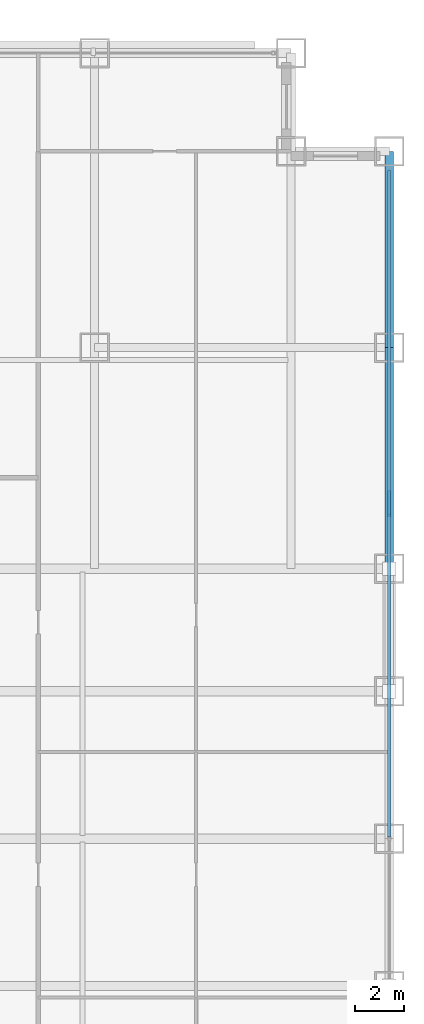
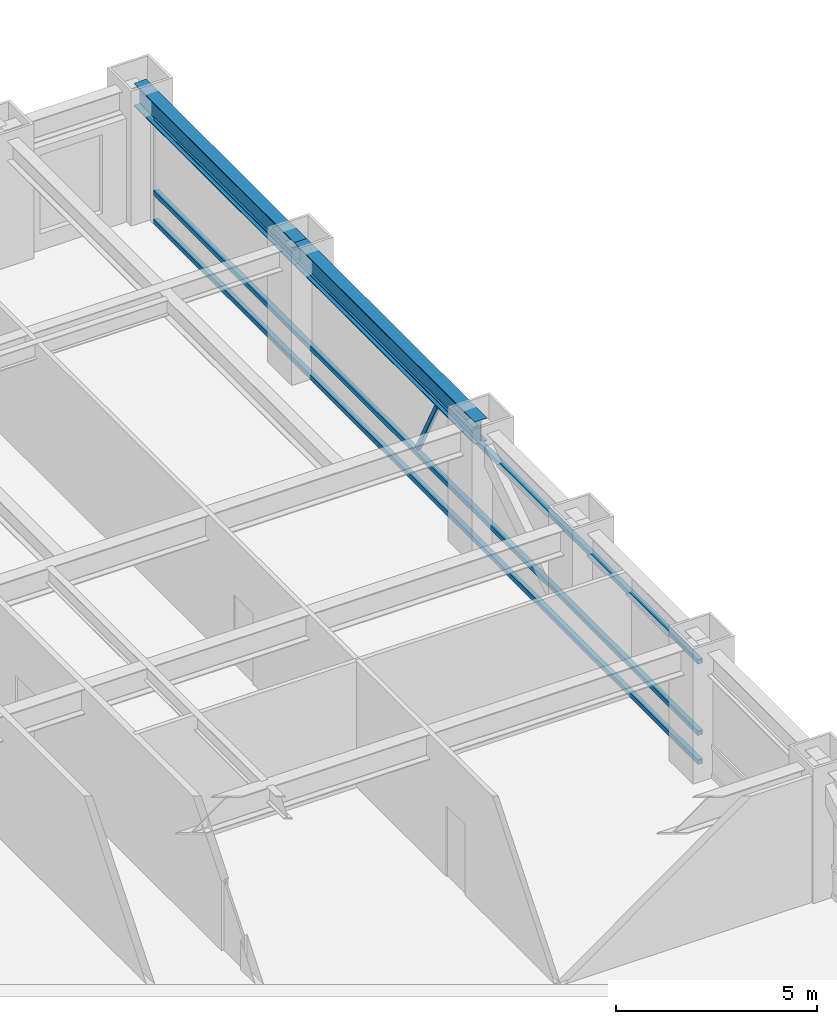
# One storey, part 15 of 32: 4 members, 2 beams, 1 element without a shape of its own.
"""IFC4 building model written with IfcOpenShell, lengths in metres."""

from ifc_helpers import new_model, si_unit, direction, frame, origin, origin_2d, place, context, subcontext, project, spatial, hollow_rectangle, i_section, extrude, source, transform, mapped, material, material_profile, profile_set, type_object, element, aggregate, save


model = new_model("IFC4")

# Units and contexts
model_context = context("Model", 3, precision=1e-05, world=origin(), true_north=direction((0.0, 1.0)))
body_context = subcontext(model_context, "Body", "Model", "MODEL_VIEW")
ifc_project = project(units=[si_unit("LENGTHUNIT", "METRE"), si_unit("AREAUNIT", "SQUARE_METRE"), si_unit("VOLUMEUNIT", "CUBIC_METRE"), si_unit("PLANEANGLEUNIT", "RADIAN"), si_unit("MASSUNIT", "GRAM", prefix="KILO")], contexts=[model_context])

# Site, building, storey
site_placement = place(None, origin())
site = spatial("IfcSite", under=ifc_project, at=site_placement, CompositionType="ELEMENT")
building_placement = place(site_placement, origin())
building = spatial("IfcBuilding", under=site, at=building_placement, Name="Khorayat Bourse Tower", CompositionType="ELEMENT")
storey_placement = place(building_placement, frame((0.0, 0.0, 132.39990234375)))
storey = spatial("IfcBuildingStorey", under=building, at=storey_placement, Name="L30", CompositionType="ELEMENT", Elevation=132.39990234375)

# Beams
ifc_material_1 = material(Name="Steel ASTM A992 Grade 50", Category="steel")
ifc_material_profile_1 = material_profile(ifc_material_1, i_section(OverallWidth=0.35498046875, OverallDepth=0.695068359375, WebThickness=0.015380859375, FlangeThickness=0.02490234375, FilletRadius=0.01806640625, at=origin_2d()), Name="W690X217")
ifc_profile_set_1 = profile_set([ifc_material_profile_1], Name="Steel ASTM A992 Grade 50")
beam_type = type_object("IfcBeamType", Name="BM-SPAN-690", PredefinedType="SPANDREL", material=ifc_profile_set_1)
shared_shape_1 = source(origin(), body_context, "Body", "SweptSolid", [
    extrude(i_section(OverallWidth=0.35498046875, OverallDepth=0.695068359375, WebThickness=0.015380859375, FlangeThickness=0.02490234375, FilletRadius=0.01806640625, at=origin_2d()), origin(), (0.0, 0.0, 1.0), 9.0),
])
beam_1_placement = place(storey_placement, frame((32.0, 11.0, 3.49267578125), z_axis=(0.0, 1.0, 0.0), x_axis=(-1.0, 0.0, 0.0)))
element("IfcBeam", 1, at=beam_1_placement, inside=storey, type_object=beam_type, Name="L30 BM-SPAN-690 BM-L30-SPN-040", PredefinedType="SPANDREL", context=body_context, shape_type="MappedRepresentation", body=[
    mapped(shared_shape_1, transform((0.0, 0.0, 0.0), scale=1.0)),
])
shared_shape_2 = source(origin(), body_context, "Body", "SweptSolid", [
    extrude(i_section(OverallWidth=0.35498046875, OverallDepth=0.695068359375, WebThickness=0.015380859375, FlangeThickness=0.02490234375, FilletRadius=0.01806640625, at=origin_2d()), origin(), (0.0, 0.0, 1.0), 8.0),
])
beam_2_placement = place(storey_placement, frame((32.0, 20.0, 3.49267578125), z_axis=(0.0, 1.0, 0.0), x_axis=(-1.0, 0.0, 0.0)))
element("IfcBeam", 2, at=beam_2_placement, inside=storey, type_object=beam_type, Name="L30 BM-SPAN-690 BM-L30-SPN-041", PredefinedType="SPANDREL", context=body_context, shape_type="MappedRepresentation", body=[
    mapped(shared_shape_2, transform((0.0, 0.0, 0.0), scale=1.0)),
])

# Curtain wall, members
ifc_material_2 = material(Name="Aluminium EN AW-6063 T6", Category="aluminium")
curtain_wall_type = type_object("IfcCurtainWallType", Name="CW-SYS-02", PredefinedType="NOTDEFINED", material=ifc_material_2)
curtain_wall_placement = place(storey_placement, origin())
curtain_wall = element("IfcCurtainWall", 3, at=curtain_wall_placement, inside=storey, type_object=curtain_wall_type, Name="L30 Curtain Wall CW-L30-E1", PredefinedType="NOTDEFINED")
ifc_material_profile_2 = material_profile(ifc_material_2, hollow_rectangle(XDim=0.139892578125, YDim=0.139892578125, WallThickness=0.006103515625, at=origin_2d()), Name="ALU 140x140x6")
ifc_profile_set_2 = profile_set([ifc_material_profile_2], Name="Aluminium EN AW-6063 T6")
member_type_1 = type_object("IfcMemberType", Name="CWT-HORZ-140", PredefinedType="USERDEFINED", material=ifc_profile_set_2)
shared_shape_3 = source(origin(), body_context, "Body", "SweptSolid", [
    extrude(hollow_rectangle(XDim=0.139892578125, YDim=0.139892578125, WallThickness=0.006103515625, at=origin_2d()), origin(), (0.0, 0.0, 1.0), 27.139892578125),
])
member_1_placement = place(storey_placement, frame((32.0, 0.070068359375, 0.070068359375), z_axis=(0.0, 1.0, 0.0), x_axis=(-1.0, 0.0, 0.0)))
member_1 = element("IfcMember", 4, at=member_1_placement, type_object=member_type_1, Name="CW-L30-E1 Horizontal Transom 2-1", ObjectType="TRANSOM", PredefinedType="USERDEFINED", context=body_context, shape_type="MappedRepresentation", body=[
    mapped(shared_shape_3, transform((0.0, 0.0, 0.0), scale=1.0)),
])
member_2_placement = place(storey_placement, frame((32.0, 0.070068359375, 0.9501953125), z_axis=(0.0, 1.0, 0.0), x_axis=(-1.0, 0.0, 0.0)))
member_2 = element("IfcMember", 5, at=member_2_placement, type_object=member_type_1, Name="CW-L30-E1 Horizontal Transom 2-2", ObjectType="TRANSOM", PredefinedType="USERDEFINED", context=body_context, shape_type="MappedRepresentation", body=[
    mapped(shared_shape_3, transform((0.0, 0.0, 0.0), scale=1.0)),
])
member_3_placement = place(storey_placement, frame((32.0, 0.070068359375, 3.1201171875), z_axis=(0.0, 1.0, 0.0), x_axis=(-1.0, 0.0, 0.0)))
member_3 = element("IfcMember", 6, at=member_3_placement, type_object=member_type_1, Name="CW-L30-E1 Horizontal Transom 2-3", ObjectType="TRANSOM", PredefinedType="USERDEFINED", context=body_context, shape_type="MappedRepresentation", body=[
    mapped(shared_shape_3, transform((0.0, 0.0, 0.0), scale=1.0)),
])
ifc_material_profile_3 = material_profile(ifc_material_2, hollow_rectangle(XDim=0.1201171875, YDim=0.1201171875, WallThickness=0.0048828125, at=origin_2d()), Name="ALU 120x120x5")
ifc_profile_set_3 = profile_set([ifc_material_profile_3], Name="Aluminium EN AW-6063 T6")
member_type_2 = type_object("IfcMemberType", Name="CWM-DIAG-120", PredefinedType="MULLION", material=ifc_profile_set_3)
shared_shape_4 = source(origin(), body_context, "Body", "SweptSolid", [
    extrude(hollow_rectangle(XDim=0.1201171875, YDim=0.1201171875, WallThickness=0.0048828125, at=origin_2d()), origin(), (0.0, 0.0, 1.0), 2.11328125),
])
member_4_placement = place(storey_placement, frame((32.0, 14.132080078125, 1.10009765625), z_axis=(0.0, -0.465694055905, 0.884945787207), x_axis=(1.0, 0.0, 0.0)))
member_4 = element("IfcMember", 7, at=member_4_placement, type_object=member_type_2, Name="CW-L30-E1 Faceted Diagonal Mullion 2", PredefinedType="MULLION", context=body_context, shape_type="MappedRepresentation", body=[
    mapped(shared_shape_4, transform((0.0, 0.0, 0.0), scale=1.0)),
])
aggregate(curtain_wall, [member_1, member_2, member_3, member_4])

save(model, "model.ifc")
